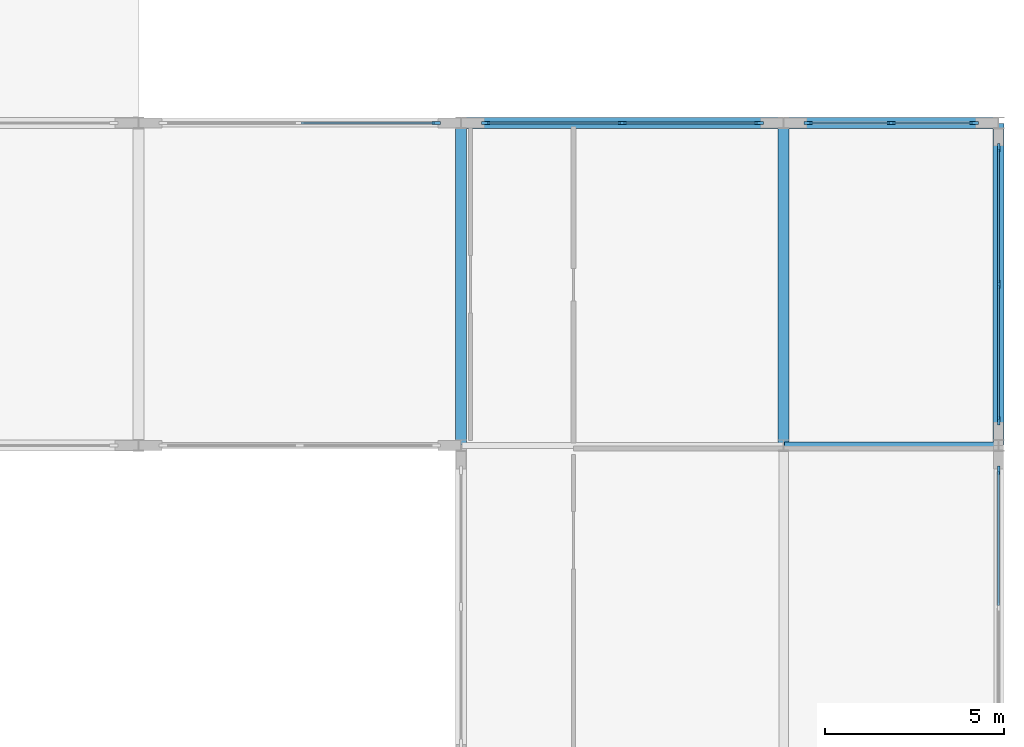
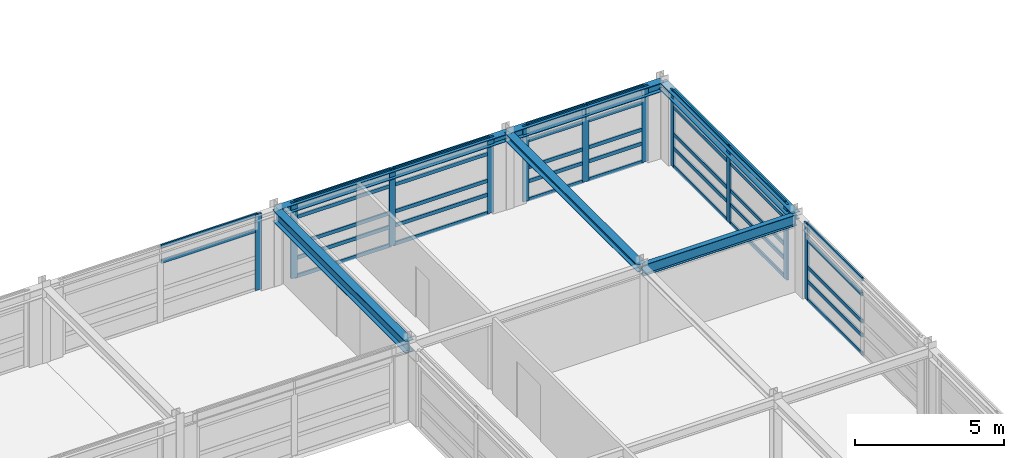
# One storey, part 54 of 91: 48 members, 6 beams, 5 elements without a shape of their own.
"""IFC4 building model written with IfcOpenShell, lengths in metres."""

from ifc_helpers import new_model, si_unit, direction, frame, origin, origin_2d, place, context, subcontext, project, spatial, rectangle, i_section, extrude, material, material_profile, profile_set, type_object, element, aggregate, save


model = new_model("IFC4")

# Units and contexts
model_context = context("Model", 3, precision=1e-05, world=origin(), true_north=direction((0.0, 1.0)))
body_context = subcontext(model_context, "Body", "Model", "MODEL_VIEW")
ifc_project = project(units=[si_unit("LENGTHUNIT", "METRE"), si_unit("AREAUNIT", "SQUARE_METRE"), si_unit("VOLUMEUNIT", "CUBIC_METRE"), si_unit("PLANEANGLEUNIT", "RADIAN"), si_unit("MASSUNIT", "GRAM", prefix="KILO")], contexts=[model_context])

# Site, building, storey
site_placement = place(None, origin())
site = spatial("IfcSite", under=ifc_project, at=site_placement, CompositionType="ELEMENT")
building_placement = place(site_placement, origin())
building = spatial("IfcBuilding", under=site, at=building_placement, Name="Palais des Congres Ocreval", CompositionType="ELEMENT")
storey_placement = place(building_placement, frame((0.0, 0.0, 8.159912109375)))
storey = spatial("IfcBuildingStorey", under=building, at=storey_placement, Name="L02", CompositionType="ELEMENT", Elevation=8.159912109375)

# Beam
ifc_material_1 = material(Name="Steel S355", Category="steel")
ifc_material_profile_1 = material_profile(ifc_material_1, i_section(OverallWidth=0.18994140625, OverallDepth=0.449951171875, WebThickness=0.009521484375, FlangeThickness=0.0146484375, at=origin_2d()), Name="IPE 450")
ifc_profile_set_1 = profile_set([ifc_material_profile_1], Name="Steel S355")
beam_type_1 = type_object("IfcBeamType", Name="Composite Beam IPE 450 Steel S355", PredefinedType="BEAM", material=ifc_profile_set_1)
beam_1_placement = place(storey_placement, frame((162.02001953125, 36.0, 2.875), z_axis=(1.0, 0.0, 0.0), x_axis=(0.0, 1.0, 0.0)))
element("IfcBeam", 1, at=beam_1_placement, inside=storey, type_object=beam_type_1, Name="Beam B03 L02", PredefinedType="BEAM", context=body_context, shape_type="SweptSolid", body=[
    extrude(i_section(OverallWidth=0.18994140625, OverallDepth=0.449951171875, WebThickness=0.009521484375, FlangeThickness=0.0146484375, at=origin_2d()), origin(), (0.0, 0.0, 1.0), 5.9599609375),
])

# Curtain wall, member
ifc_material_2 = material(Name="Anodized bronze aluminium and low-E glass", Category="glass")
curtain_wall_type_1 = type_object("IfcCurtainWallType", Name="Unitised Curtain Wall 7900x3120", PredefinedType="USERDEFINED", material=ifc_material_2)
curtain_wall_1_placement = place(storey_placement, origin())
curtain_wall_1 = element("IfcCurtainWall", 2, at=curtain_wall_1_placement, inside=storey, type_object=curtain_wall_type_1, Name="Unitised Curtain Wall CW03 L02", ObjectType="UNITISED CURTAIN WALL", PredefinedType="USERDEFINED")
ifc_material_3 = material(Name="Anodized bronze aluminium", Category="aluminium")
ifc_material_profile_2 = material_profile(ifc_material_3, rectangle(XDim=0.074951171875, YDim=0.239990234375, at=origin_2d()), Name="ALU 75x240")
ifc_profile_set_2 = profile_set([ifc_material_profile_2], Name="Anodized bronze aluminium")
member_type_1 = type_object("IfcMemberType", Name="Curtain Wall Mullion ALU 75x240", PredefinedType="MULLION", material=ifc_profile_set_2)
member_1_placement = place(storey_placement, frame((152.3125, 45.0, 0.0), z_axis=(0.0, 0.0, 1.0), x_axis=(0.0, 1.0, 0.0)))
member_1 = element("IfcMember", 3, at=member_1_placement, type_object=member_type_1, Name="Curtain Wall Mullion ML01", PredefinedType="MULLION", context=body_context, shape_type="SweptSolid", body=[
    extrude(rectangle(XDim=0.074951171875, YDim=0.239990234375, at=origin_2d()), origin(), (0.0, 0.0, 1.0), 3.110107421875),
])

# Curtain wall, members
curtain_wall_2_placement = place(storey_placement, origin())
curtain_wall_2 = element("IfcCurtainWall", 4, at=curtain_wall_2_placement, inside=storey, type_object=curtain_wall_type_1, Name="Unitised Curtain Wall CW03 L02", ObjectType="UNITISED CURTAIN WALL", PredefinedType="USERDEFINED")
member_2_placement = place(storey_placement, frame((153.6875, 45.0, 0.0), z_axis=(0.0, 0.0, 1.0), x_axis=(0.0, 1.0, 0.0)))
member_2 = element("IfcMember", 5, at=member_2_placement, type_object=member_type_1, Name="Curtain Wall Mullion ML01", PredefinedType="MULLION", context=body_context, shape_type="SweptSolid", body=[
    extrude(rectangle(XDim=0.074951171875, YDim=0.239990234375, at=origin_2d()), origin(), (0.0, 0.0, 1.0), 3.110107421875),
])
member_3_placement = place(storey_placement, frame((157.5, 45.0, 0.0), z_axis=(0.0, 0.0, 1.0), x_axis=(0.0, 1.0, 0.0)))
member_3 = element("IfcMember", 6, at=member_3_placement, type_object=member_type_1, Name="Curtain Wall Mullion ML01", PredefinedType="MULLION", context=body_context, shape_type="SweptSolid", body=[
    extrude(rectangle(XDim=0.074951171875, YDim=0.239990234375, at=origin_2d()), origin(), (0.0, 0.0, 1.0), 3.110107421875),
])
member_4_placement = place(storey_placement, frame((161.3125, 45.0, 0.0), z_axis=(0.0, 0.0, 1.0), x_axis=(0.0, 1.0, 0.0)))
member_4 = element("IfcMember", 7, at=member_4_placement, type_object=member_type_1, Name="Curtain Wall Mullion ML01", PredefinedType="MULLION", context=body_context, shape_type="SweptSolid", body=[
    extrude(rectangle(XDim=0.074951171875, YDim=0.239990234375, at=origin_2d()), origin(), (0.0, 0.0, 1.0), 3.110107421875),
])

curtain_wall_type_2 = type_object("IfcCurtainWallType", Name="Unitised Curtain Wall 4900x3660", PredefinedType="USERDEFINED", material=ifc_material_2)
curtain_wall_3_placement = place(storey_placement, origin())
curtain_wall_3 = element("IfcCurtainWall", 8, at=curtain_wall_3_placement, inside=storey, type_object=curtain_wall_type_2, Name="Unitised Curtain Wall CW08 L02", ObjectType="UNITISED CURTAIN WALL", PredefinedType="USERDEFINED")
member_5_placement = place(storey_placement, frame((162.6875, 45.0, 0.0), z_axis=(0.0, 0.0, 1.0), x_axis=(0.0, 1.0, 0.0)))
member_5 = element("IfcMember", 9, at=member_5_placement, type_object=member_type_1, Name="Curtain Wall Mullion ML01", PredefinedType="MULLION", context=body_context, shape_type="SweptSolid", body=[
    extrude(rectangle(XDim=0.074951171875, YDim=0.239990234375, at=origin_2d()), origin(), (0.0, 0.0, 1.0), 3.110107421875),
])
member_6_placement = place(storey_placement, frame((165.0, 45.0, 0.0), z_axis=(0.0, 0.0, 1.0), x_axis=(0.0, 1.0, 0.0)))
member_6 = element("IfcMember", 10, at=member_6_placement, type_object=member_type_1, Name="Curtain Wall Mullion ML01", PredefinedType="MULLION", context=body_context, shape_type="SweptSolid", body=[
    extrude(rectangle(XDim=0.074951171875, YDim=0.239990234375, at=origin_2d()), origin(), (0.0, 0.0, 1.0), 3.110107421875),
])
member_7_placement = place(storey_placement, frame((167.3125, 45.0, 0.0), z_axis=(0.0, 0.0, 1.0), x_axis=(0.0, 1.0, 0.0)))
member_7 = element("IfcMember", 11, at=member_7_placement, type_object=member_type_1, Name="Curtain Wall Mullion ML01", PredefinedType="MULLION", context=body_context, shape_type="SweptSolid", body=[
    extrude(rectangle(XDim=0.074951171875, YDim=0.239990234375, at=origin_2d()), origin(), (0.0, 0.0, 1.0), 3.110107421875),
])

curtain_wall_4_placement = place(storey_placement, origin())
curtain_wall_4 = element("IfcCurtainWall", 12, at=curtain_wall_4_placement, inside=storey, type_object=curtain_wall_type_1, Name="Unitised Curtain Wall CW03 L02", ObjectType="UNITISED CURTAIN WALL", PredefinedType="USERDEFINED")
member_8_placement = place(storey_placement, frame((168.0, 44.3125, 0.0), z_axis=(0.0, 0.0, 1.0), x_axis=(1.0, 0.0, 0.0)))
member_8 = element("IfcMember", 13, at=member_8_placement, type_object=member_type_1, Name="Curtain Wall Mullion ML01", PredefinedType="MULLION", context=body_context, shape_type="SweptSolid", body=[
    extrude(rectangle(XDim=0.074951171875, YDim=0.239990234375, at=origin_2d()), origin(), (0.0, 0.0, 1.0), 3.110107421875),
])
member_9_placement = place(storey_placement, frame((168.0, 40.5, 0.0), z_axis=(0.0, 0.0, 1.0), x_axis=(1.0, 0.0, 0.0)))
member_9 = element("IfcMember", 14, at=member_9_placement, type_object=member_type_1, Name="Curtain Wall Mullion ML01", PredefinedType="MULLION", context=body_context, shape_type="SweptSolid", body=[
    extrude(rectangle(XDim=0.074951171875, YDim=0.239990234375, at=origin_2d()), origin(), (0.0, 0.0, 1.0), 3.110107421875),
])
member_10_placement = place(storey_placement, frame((168.0, 36.6875, 0.0), z_axis=(0.0, 0.0, 1.0), x_axis=(1.0, 0.0, 0.0)))
member_10 = element("IfcMember", 15, at=member_10_placement, type_object=member_type_1, Name="Curtain Wall Mullion ML01", PredefinedType="MULLION", context=body_context, shape_type="SweptSolid", body=[
    extrude(rectangle(XDim=0.074951171875, YDim=0.239990234375, at=origin_2d()), origin(), (0.0, 0.0, 1.0), 3.110107421875),
])

# Curtain wall, member
curtain_wall_5_placement = place(storey_placement, origin())
curtain_wall_5 = element("IfcCurtainWall", 16, at=curtain_wall_5_placement, inside=storey, type_object=curtain_wall_type_1, Name="Unitised Curtain Wall CW03 L02", ObjectType="UNITISED CURTAIN WALL", PredefinedType="USERDEFINED")
member_11_placement = place(storey_placement, frame((168.0, 35.3125, 0.0), z_axis=(0.0, 0.0, 1.0), x_axis=(1.0, 0.0, 0.0)))
member_11 = element("IfcMember", 17, at=member_11_placement, type_object=member_type_1, Name="Curtain Wall Mullion ML01", PredefinedType="MULLION", context=body_context, shape_type="SweptSolid", body=[
    extrude(rectangle(XDim=0.074951171875, YDim=0.239990234375, at=origin_2d()), origin(), (0.0, 0.0, 1.0), 3.110107421875),
])

# Member
ifc_material_profile_3 = material_profile(ifc_material_3, rectangle(XDim=0.06005859375, YDim=0.14990234375, at=origin_2d()), Name="ALU 60x150")
ifc_profile_set_3 = profile_set([ifc_material_profile_3], Name="Anodized bronze aluminium")
member_type_2 = type_object("IfcMemberType", Name="Curtain Wall Transom ALU 60x150", PredefinedType="USERDEFINED", material=ifc_profile_set_3)
member_12_placement = place(storey_placement, frame((148.53759765625, 45.0, 2.460205078125), z_axis=(1.0, 0.0, 0.0), x_axis=(0.0, 1.0, 0.0)))
member_12 = element("IfcMember", 18, at=member_12_placement, type_object=member_type_2, Name="Curtain Wall Transom TR01", ObjectType="TRANSOM", PredefinedType="USERDEFINED", context=body_context, shape_type="SweptSolid", body=[
    extrude(rectangle(XDim=0.06005859375, YDim=0.14990234375, at=origin_2d()), origin(), (0.0, 0.0, 1.0), 3.7373046875),
])

member_13_placement = place(storey_placement, frame((148.53759765625, 45.0, 3.080078125), z_axis=(1.0, 0.0, 0.0), x_axis=(0.0, 1.0, 0.0)))
member_13 = element("IfcMember", 19, at=member_13_placement, type_object=member_type_2, Name="Curtain Wall Transom TR01", ObjectType="TRANSOM", PredefinedType="USERDEFINED", context=body_context, shape_type="SweptSolid", body=[
    extrude(rectangle(XDim=0.06005859375, YDim=0.14990234375, at=origin_2d()), origin(), (0.0, 0.0, 1.0), 3.7373046875),
])

aggregate(curtain_wall_1, [member_1, member_12, member_13])

member_14_placement = place(storey_placement, frame((153.72509765625, 45.0, 0.030029296875), z_axis=(1.0, 0.0, 0.0), x_axis=(0.0, 1.0, 0.0)))
member_14 = element("IfcMember", 20, at=member_14_placement, type_object=member_type_2, Name="Curtain Wall Transom TR01", ObjectType="TRANSOM", PredefinedType="USERDEFINED", context=body_context, shape_type="SweptSolid", body=[
    extrude(rectangle(XDim=0.06005859375, YDim=0.14990234375, at=origin_2d()), origin(), (0.0, 0.0, 1.0), 3.7373046875),
])

member_15_placement = place(storey_placement, frame((153.72509765625, 45.0, 0.780029296875), z_axis=(1.0, 0.0, 0.0), x_axis=(0.0, 1.0, 0.0)))
member_15 = element("IfcMember", 21, at=member_15_placement, type_object=member_type_2, Name="Curtain Wall Transom TR01", ObjectType="TRANSOM", PredefinedType="USERDEFINED", context=body_context, shape_type="SweptSolid", body=[
    extrude(rectangle(XDim=0.06005859375, YDim=0.14990234375, at=origin_2d()), origin(), (0.0, 0.0, 1.0), 3.7373046875),
])

member_16_placement = place(storey_placement, frame((153.72509765625, 45.0, 1.35302734375), z_axis=(1.0, 0.0, 0.0), x_axis=(0.0, 1.0, 0.0)))
member_16 = element("IfcMember", 22, at=member_16_placement, type_object=member_type_2, Name="Curtain Wall Transom TR01", ObjectType="TRANSOM", PredefinedType="USERDEFINED", context=body_context, shape_type="SweptSolid", body=[
    extrude(rectangle(XDim=0.06005859375, YDim=0.14990234375, at=origin_2d()), origin(), (0.0, 0.0, 1.0), 3.7373046875),
])

member_17_placement = place(storey_placement, frame((153.72509765625, 45.0, 2.460205078125), z_axis=(1.0, 0.0, 0.0), x_axis=(0.0, 1.0, 0.0)))
member_17 = element("IfcMember", 23, at=member_17_placement, type_object=member_type_2, Name="Curtain Wall Transom TR01", ObjectType="TRANSOM", PredefinedType="USERDEFINED", context=body_context, shape_type="SweptSolid", body=[
    extrude(rectangle(XDim=0.06005859375, YDim=0.14990234375, at=origin_2d()), origin(), (0.0, 0.0, 1.0), 3.7373046875),
])

member_18_placement = place(storey_placement, frame((153.72509765625, 45.0, 3.080078125), z_axis=(1.0, 0.0, 0.0), x_axis=(0.0, 1.0, 0.0)))
member_18 = element("IfcMember", 24, at=member_18_placement, type_object=member_type_2, Name="Curtain Wall Transom TR01", ObjectType="TRANSOM", PredefinedType="USERDEFINED", context=body_context, shape_type="SweptSolid", body=[
    extrude(rectangle(XDim=0.06005859375, YDim=0.14990234375, at=origin_2d()), origin(), (0.0, 0.0, 1.0), 3.7373046875),
])

member_19_placement = place(storey_placement, frame((157.53759765625, 45.0, 0.030029296875), z_axis=(1.0, 0.0, 0.0), x_axis=(0.0, 1.0, 0.0)))
member_19 = element("IfcMember", 25, at=member_19_placement, type_object=member_type_2, Name="Curtain Wall Transom TR01", ObjectType="TRANSOM", PredefinedType="USERDEFINED", context=body_context, shape_type="SweptSolid", body=[
    extrude(rectangle(XDim=0.06005859375, YDim=0.14990234375, at=origin_2d()), origin(), (0.0, 0.0, 1.0), 3.7373046875),
])

member_20_placement = place(storey_placement, frame((157.53759765625, 45.0, 0.780029296875), z_axis=(1.0, 0.0, 0.0), x_axis=(0.0, 1.0, 0.0)))
member_20 = element("IfcMember", 26, at=member_20_placement, type_object=member_type_2, Name="Curtain Wall Transom TR01", ObjectType="TRANSOM", PredefinedType="USERDEFINED", context=body_context, shape_type="SweptSolid", body=[
    extrude(rectangle(XDim=0.06005859375, YDim=0.14990234375, at=origin_2d()), origin(), (0.0, 0.0, 1.0), 3.7373046875),
])

member_21_placement = place(storey_placement, frame((157.53759765625, 45.0, 1.35302734375), z_axis=(1.0, 0.0, 0.0), x_axis=(0.0, 1.0, 0.0)))
member_21 = element("IfcMember", 27, at=member_21_placement, type_object=member_type_2, Name="Curtain Wall Transom TR01", ObjectType="TRANSOM", PredefinedType="USERDEFINED", context=body_context, shape_type="SweptSolid", body=[
    extrude(rectangle(XDim=0.06005859375, YDim=0.14990234375, at=origin_2d()), origin(), (0.0, 0.0, 1.0), 3.7373046875),
])

member_22_placement = place(storey_placement, frame((157.53759765625, 45.0, 2.460205078125), z_axis=(1.0, 0.0, 0.0), x_axis=(0.0, 1.0, 0.0)))
member_22 = element("IfcMember", 28, at=member_22_placement, type_object=member_type_2, Name="Curtain Wall Transom TR01", ObjectType="TRANSOM", PredefinedType="USERDEFINED", context=body_context, shape_type="SweptSolid", body=[
    extrude(rectangle(XDim=0.06005859375, YDim=0.14990234375, at=origin_2d()), origin(), (0.0, 0.0, 1.0), 3.7373046875),
])

member_23_placement = place(storey_placement, frame((157.53759765625, 45.0, 3.080078125), z_axis=(1.0, 0.0, 0.0), x_axis=(0.0, 1.0, 0.0)))
member_23 = element("IfcMember", 29, at=member_23_placement, type_object=member_type_2, Name="Curtain Wall Transom TR01", ObjectType="TRANSOM", PredefinedType="USERDEFINED", context=body_context, shape_type="SweptSolid", body=[
    extrude(rectangle(XDim=0.06005859375, YDim=0.14990234375, at=origin_2d()), origin(), (0.0, 0.0, 1.0), 3.7373046875),
])

aggregate(curtain_wall_2, [member_2, member_3, member_4, member_14, member_15, member_16, member_17, member_18, member_19, member_20, member_21, member_22, member_23])

member_24_placement = place(storey_placement, frame((162.72509765625, 45.0, 0.030029296875), z_axis=(1.0, 0.0, 0.0), x_axis=(0.0, 1.0, 0.0)))
member_24 = element("IfcMember", 30, at=member_24_placement, type_object=member_type_2, Name="Curtain Wall Transom TR01", ObjectType="TRANSOM", PredefinedType="USERDEFINED", context=body_context, shape_type="SweptSolid", body=[
    extrude(rectangle(XDim=0.06005859375, YDim=0.14990234375, at=origin_2d()), origin(), (0.0, 0.0, 1.0), 2.2373046875),
])

member_25_placement = place(storey_placement, frame((162.72509765625, 45.0, 0.780029296875), z_axis=(1.0, 0.0, 0.0), x_axis=(0.0, 1.0, 0.0)))
member_25 = element("IfcMember", 31, at=member_25_placement, type_object=member_type_2, Name="Curtain Wall Transom TR01", ObjectType="TRANSOM", PredefinedType="USERDEFINED", context=body_context, shape_type="SweptSolid", body=[
    extrude(rectangle(XDim=0.06005859375, YDim=0.14990234375, at=origin_2d()), origin(), (0.0, 0.0, 1.0), 2.2373046875),
])

member_26_placement = place(storey_placement, frame((162.72509765625, 45.0, 1.35302734375), z_axis=(1.0, 0.0, 0.0), x_axis=(0.0, 1.0, 0.0)))
member_26 = element("IfcMember", 32, at=member_26_placement, type_object=member_type_2, Name="Curtain Wall Transom TR01", ObjectType="TRANSOM", PredefinedType="USERDEFINED", context=body_context, shape_type="SweptSolid", body=[
    extrude(rectangle(XDim=0.06005859375, YDim=0.14990234375, at=origin_2d()), origin(), (0.0, 0.0, 1.0), 2.2373046875),
])

member_27_placement = place(storey_placement, frame((162.72509765625, 45.0, 2.460205078125), z_axis=(1.0, 0.0, 0.0), x_axis=(0.0, 1.0, 0.0)))
member_27 = element("IfcMember", 33, at=member_27_placement, type_object=member_type_2, Name="Curtain Wall Transom TR01", ObjectType="TRANSOM", PredefinedType="USERDEFINED", context=body_context, shape_type="SweptSolid", body=[
    extrude(rectangle(XDim=0.06005859375, YDim=0.14990234375, at=origin_2d()), origin(), (0.0, 0.0, 1.0), 2.2373046875),
])

member_28_placement = place(storey_placement, frame((162.72509765625, 45.0, 3.080078125), z_axis=(1.0, 0.0, 0.0), x_axis=(0.0, 1.0, 0.0)))
member_28 = element("IfcMember", 34, at=member_28_placement, type_object=member_type_2, Name="Curtain Wall Transom TR01", ObjectType="TRANSOM", PredefinedType="USERDEFINED", context=body_context, shape_type="SweptSolid", body=[
    extrude(rectangle(XDim=0.06005859375, YDim=0.14990234375, at=origin_2d()), origin(), (0.0, 0.0, 1.0), 2.2373046875),
])

member_29_placement = place(storey_placement, frame((165.03759765625, 45.0, 0.030029296875), z_axis=(1.0, 0.0, 0.0), x_axis=(0.0, 1.0, 0.0)))
member_29 = element("IfcMember", 35, at=member_29_placement, type_object=member_type_2, Name="Curtain Wall Transom TR01", ObjectType="TRANSOM", PredefinedType="USERDEFINED", context=body_context, shape_type="SweptSolid", body=[
    extrude(rectangle(XDim=0.06005859375, YDim=0.14990234375, at=origin_2d()), origin(), (0.0, 0.0, 1.0), 2.2373046875),
])

member_30_placement = place(storey_placement, frame((165.03759765625, 45.0, 0.780029296875), z_axis=(1.0, 0.0, 0.0), x_axis=(0.0, 1.0, 0.0)))
member_30 = element("IfcMember", 36, at=member_30_placement, type_object=member_type_2, Name="Curtain Wall Transom TR01", ObjectType="TRANSOM", PredefinedType="USERDEFINED", context=body_context, shape_type="SweptSolid", body=[
    extrude(rectangle(XDim=0.06005859375, YDim=0.14990234375, at=origin_2d()), origin(), (0.0, 0.0, 1.0), 2.2373046875),
])

member_31_placement = place(storey_placement, frame((165.03759765625, 45.0, 1.35302734375), z_axis=(1.0, 0.0, 0.0), x_axis=(0.0, 1.0, 0.0)))
member_31 = element("IfcMember", 37, at=member_31_placement, type_object=member_type_2, Name="Curtain Wall Transom TR01", ObjectType="TRANSOM", PredefinedType="USERDEFINED", context=body_context, shape_type="SweptSolid", body=[
    extrude(rectangle(XDim=0.06005859375, YDim=0.14990234375, at=origin_2d()), origin(), (0.0, 0.0, 1.0), 2.2373046875),
])

member_32_placement = place(storey_placement, frame((165.03759765625, 45.0, 2.460205078125), z_axis=(1.0, 0.0, 0.0), x_axis=(0.0, 1.0, 0.0)))
member_32 = element("IfcMember", 38, at=member_32_placement, type_object=member_type_2, Name="Curtain Wall Transom TR01", ObjectType="TRANSOM", PredefinedType="USERDEFINED", context=body_context, shape_type="SweptSolid", body=[
    extrude(rectangle(XDim=0.06005859375, YDim=0.14990234375, at=origin_2d()), origin(), (0.0, 0.0, 1.0), 2.2373046875),
])

member_33_placement = place(storey_placement, frame((165.03759765625, 45.0, 3.080078125), z_axis=(1.0, 0.0, 0.0), x_axis=(0.0, 1.0, 0.0)))
member_33 = element("IfcMember", 39, at=member_33_placement, type_object=member_type_2, Name="Curtain Wall Transom TR01", ObjectType="TRANSOM", PredefinedType="USERDEFINED", context=body_context, shape_type="SweptSolid", body=[
    extrude(rectangle(XDim=0.06005859375, YDim=0.14990234375, at=origin_2d()), origin(), (0.0, 0.0, 1.0), 2.2373046875),
])

aggregate(curtain_wall_3, [member_5, member_6, member_7, member_24, member_25, member_26, member_27, member_28, member_29, member_30, member_31, member_32, member_33])

member_34_placement = place(storey_placement, frame((168.0, 44.27490234375, 0.030029296875), z_axis=(0.0, -1.0, 0.0), x_axis=(1.0, 0.0, 0.0)))
member_34 = element("IfcMember", 40, at=member_34_placement, type_object=member_type_2, Name="Curtain Wall Transom TR01", ObjectType="TRANSOM", PredefinedType="USERDEFINED", context=body_context, shape_type="SweptSolid", body=[
    extrude(rectangle(XDim=0.06005859375, YDim=0.14990234375, at=origin_2d()), origin(), (0.0, 0.0, 1.0), 3.7373046875),
])

member_35_placement = place(storey_placement, frame((168.0, 44.27490234375, 0.780029296875), z_axis=(0.0, -1.0, 0.0), x_axis=(1.0, 0.0, 0.0)))
member_35 = element("IfcMember", 41, at=member_35_placement, type_object=member_type_2, Name="Curtain Wall Transom TR01", ObjectType="TRANSOM", PredefinedType="USERDEFINED", context=body_context, shape_type="SweptSolid", body=[
    extrude(rectangle(XDim=0.06005859375, YDim=0.14990234375, at=origin_2d()), origin(), (0.0, 0.0, 1.0), 3.7373046875),
])

member_36_placement = place(storey_placement, frame((168.0, 44.27490234375, 1.35302734375), z_axis=(0.0, -1.0, 0.0), x_axis=(1.0, 0.0, 0.0)))
member_36 = element("IfcMember", 42, at=member_36_placement, type_object=member_type_2, Name="Curtain Wall Transom TR01", ObjectType="TRANSOM", PredefinedType="USERDEFINED", context=body_context, shape_type="SweptSolid", body=[
    extrude(rectangle(XDim=0.06005859375, YDim=0.14990234375, at=origin_2d()), origin(), (0.0, 0.0, 1.0), 3.7373046875),
])

member_37_placement = place(storey_placement, frame((168.0, 44.27490234375, 2.460205078125), z_axis=(0.0, -1.0, 0.0), x_axis=(1.0, 0.0, 0.0)))
member_37 = element("IfcMember", 43, at=member_37_placement, type_object=member_type_2, Name="Curtain Wall Transom TR01", ObjectType="TRANSOM", PredefinedType="USERDEFINED", context=body_context, shape_type="SweptSolid", body=[
    extrude(rectangle(XDim=0.06005859375, YDim=0.14990234375, at=origin_2d()), origin(), (0.0, 0.0, 1.0), 3.7373046875),
])

member_38_placement = place(storey_placement, frame((168.0, 44.27490234375, 3.080078125), z_axis=(0.0, -1.0, 0.0), x_axis=(1.0, 0.0, 0.0)))
member_38 = element("IfcMember", 44, at=member_38_placement, type_object=member_type_2, Name="Curtain Wall Transom TR01", ObjectType="TRANSOM", PredefinedType="USERDEFINED", context=body_context, shape_type="SweptSolid", body=[
    extrude(rectangle(XDim=0.06005859375, YDim=0.14990234375, at=origin_2d()), origin(), (0.0, 0.0, 1.0), 3.7373046875),
])

member_39_placement = place(storey_placement, frame((168.0, 40.46240234375, 0.030029296875), z_axis=(0.0, -1.0, 0.0), x_axis=(1.0, 0.0, 0.0)))
member_39 = element("IfcMember", 45, at=member_39_placement, type_object=member_type_2, Name="Curtain Wall Transom TR01", ObjectType="TRANSOM", PredefinedType="USERDEFINED", context=body_context, shape_type="SweptSolid", body=[
    extrude(rectangle(XDim=0.06005859375, YDim=0.14990234375, at=origin_2d()), origin(), (0.0, 0.0, 1.0), 3.7373046875),
])

member_40_placement = place(storey_placement, frame((168.0, 40.46240234375, 0.780029296875), z_axis=(0.0, -1.0, 0.0), x_axis=(1.0, 0.0, 0.0)))
member_40 = element("IfcMember", 46, at=member_40_placement, type_object=member_type_2, Name="Curtain Wall Transom TR01", ObjectType="TRANSOM", PredefinedType="USERDEFINED", context=body_context, shape_type="SweptSolid", body=[
    extrude(rectangle(XDim=0.06005859375, YDim=0.14990234375, at=origin_2d()), origin(), (0.0, 0.0, 1.0), 3.7373046875),
])

member_41_placement = place(storey_placement, frame((168.0, 40.46240234375, 1.35302734375), z_axis=(0.0, -1.0, 0.0), x_axis=(1.0, 0.0, 0.0)))
member_41 = element("IfcMember", 47, at=member_41_placement, type_object=member_type_2, Name="Curtain Wall Transom TR01", ObjectType="TRANSOM", PredefinedType="USERDEFINED", context=body_context, shape_type="SweptSolid", body=[
    extrude(rectangle(XDim=0.06005859375, YDim=0.14990234375, at=origin_2d()), origin(), (0.0, 0.0, 1.0), 3.7373046875),
])

member_42_placement = place(storey_placement, frame((168.0, 40.46240234375, 2.460205078125), z_axis=(0.0, -1.0, 0.0), x_axis=(1.0, 0.0, 0.0)))
member_42 = element("IfcMember", 48, at=member_42_placement, type_object=member_type_2, Name="Curtain Wall Transom TR01", ObjectType="TRANSOM", PredefinedType="USERDEFINED", context=body_context, shape_type="SweptSolid", body=[
    extrude(rectangle(XDim=0.06005859375, YDim=0.14990234375, at=origin_2d()), origin(), (0.0, 0.0, 1.0), 3.7373046875),
])

member_43_placement = place(storey_placement, frame((168.0, 40.46240234375, 3.080078125), z_axis=(0.0, -1.0, 0.0), x_axis=(1.0, 0.0, 0.0)))
member_43 = element("IfcMember", 49, at=member_43_placement, type_object=member_type_2, Name="Curtain Wall Transom TR01", ObjectType="TRANSOM", PredefinedType="USERDEFINED", context=body_context, shape_type="SweptSolid", body=[
    extrude(rectangle(XDim=0.06005859375, YDim=0.14990234375, at=origin_2d()), origin(), (0.0, 0.0, 1.0), 3.7373046875),
])

aggregate(curtain_wall_4, [member_8, member_9, member_10, member_34, member_35, member_36, member_37, member_38, member_39, member_40, member_41, member_42, member_43])

member_44_placement = place(storey_placement, frame((168.0, 35.27490234375, 0.030029296875), z_axis=(0.0, -1.0, 0.0), x_axis=(1.0, 0.0, 0.0)))
member_44 = element("IfcMember", 50, at=member_44_placement, type_object=member_type_2, Name="Curtain Wall Transom TR01", ObjectType="TRANSOM", PredefinedType="USERDEFINED", context=body_context, shape_type="SweptSolid", body=[
    extrude(rectangle(XDim=0.06005859375, YDim=0.14990234375, at=origin_2d()), origin(), (0.0, 0.0, 1.0), 3.7373046875),
])

member_45_placement = place(storey_placement, frame((168.0, 35.27490234375, 0.780029296875), z_axis=(0.0, -1.0, 0.0), x_axis=(1.0, 0.0, 0.0)))
member_45 = element("IfcMember", 51, at=member_45_placement, type_object=member_type_2, Name="Curtain Wall Transom TR01", ObjectType="TRANSOM", PredefinedType="USERDEFINED", context=body_context, shape_type="SweptSolid", body=[
    extrude(rectangle(XDim=0.06005859375, YDim=0.14990234375, at=origin_2d()), origin(), (0.0, 0.0, 1.0), 3.7373046875),
])

member_46_placement = place(storey_placement, frame((168.0, 35.27490234375, 1.35302734375), z_axis=(0.0, -1.0, 0.0), x_axis=(1.0, 0.0, 0.0)))
member_46 = element("IfcMember", 52, at=member_46_placement, type_object=member_type_2, Name="Curtain Wall Transom TR01", ObjectType="TRANSOM", PredefinedType="USERDEFINED", context=body_context, shape_type="SweptSolid", body=[
    extrude(rectangle(XDim=0.06005859375, YDim=0.14990234375, at=origin_2d()), origin(), (0.0, 0.0, 1.0), 3.7373046875),
])

member_47_placement = place(storey_placement, frame((168.0, 35.27490234375, 2.460205078125), z_axis=(0.0, -1.0, 0.0), x_axis=(1.0, 0.0, 0.0)))
member_47 = element("IfcMember", 53, at=member_47_placement, type_object=member_type_2, Name="Curtain Wall Transom TR01", ObjectType="TRANSOM", PredefinedType="USERDEFINED", context=body_context, shape_type="SweptSolid", body=[
    extrude(rectangle(XDim=0.06005859375, YDim=0.14990234375, at=origin_2d()), origin(), (0.0, 0.0, 1.0), 3.7373046875),
])

member_48_placement = place(storey_placement, frame((168.0, 35.27490234375, 3.080078125), z_axis=(0.0, -1.0, 0.0), x_axis=(1.0, 0.0, 0.0)))
member_48 = element("IfcMember", 54, at=member_48_placement, type_object=member_type_2, Name="Curtain Wall Transom TR01", ObjectType="TRANSOM", PredefinedType="USERDEFINED", context=body_context, shape_type="SweptSolid", body=[
    extrude(rectangle(XDim=0.06005859375, YDim=0.14990234375, at=origin_2d()), origin(), (0.0, 0.0, 1.0), 3.7373046875),
])

aggregate(curtain_wall_5, [member_11, member_44, member_45, member_46, member_47, member_48])

# Beams
ifc_material_profile_4 = material_profile(ifc_material_1, i_section(OverallWidth=0.300048828125, OverallDepth=0.300048828125, WebThickness=0.010986328125, FlangeThickness=0.01904296875, at=origin_2d()), Name="HEB 300")
ifc_profile_set_4 = profile_set([ifc_material_profile_4], Name="Steel S355")
beam_type_2 = type_object("IfcBeamType", Name="Perimeter Spandrel HEB 300 Steel S355", PredefinedType="SPANDREL", material=ifc_profile_set_4)
for number, where, z_axis, x_axis, name in (
    (55, (153.02001953125, 45.0, 2.9501953125), (1.0, 0.0, 0.0), (0.0, 1.0, 0.0), "Beam SP02 L02"),
    (56, (162.0, 36.02001953125, 2.9501953125), (0.0, 1.0, 0.0), (-1.0, 0.0, 0.0), "Girder SP02 L02"),
    (57, (168.0, 36.02001953125, 2.9501953125), (0.0, 1.0, 0.0), (-1.0, 0.0, 0.0), "Girder SP02 L02"),
):
    element("IfcBeam", number, at=place(storey_placement, frame(where, z_axis=z_axis, x_axis=x_axis)), inside=storey, type_object=beam_type_2, Name=name, PredefinedType="SPANDREL", context=body_context, shape_type="SweptSolid", body=[
        extrude(i_section(OverallWidth=0.300048828125, OverallDepth=0.300048828125, WebThickness=0.010986328125, FlangeThickness=0.01904296875, at=origin_2d()), origin(), (0.0, 0.0, 1.0), 8.9599609375),
    ])
ifc_material_profile_5 = material_profile(ifc_material_1, i_section(OverallWidth=0.300048828125, OverallDepth=0.360107421875, WebThickness=0.012451171875, FlangeThickness=0.0224609375, at=origin_2d()), Name="HEB 360")
ifc_profile_set_5 = profile_set([ifc_material_profile_5], Name="Steel S355")
beam_type_3 = type_object("IfcBeamType", Name="Perimeter Spandrel HEB 360 Steel S355", PredefinedType="SPANDREL", material=ifc_profile_set_5)
beam_2_placement = place(storey_placement, frame((162.02001953125, 45.0, 2.920166015625), z_axis=(1.0, 0.0, 0.0), x_axis=(0.0, 1.0, 0.0)))
element("IfcBeam", 58, at=beam_2_placement, inside=storey, type_object=beam_type_3, Name="Beam SP03 L02", PredefinedType="SPANDREL", context=body_context, shape_type="SweptSolid", body=[
    extrude(i_section(OverallWidth=0.300048828125, OverallDepth=0.360107421875, WebThickness=0.012451171875, FlangeThickness=0.0224609375, at=origin_2d()), origin(), (0.0, 0.0, 1.0), 5.9599609375),
])
ifc_material_profile_6 = material_profile(ifc_material_1, i_section(OverallWidth=0.300048828125, OverallDepth=0.489990234375, WebThickness=0.011962890625, FlangeThickness=0.02294921875, at=origin_2d()), Name="HEA 500")
ifc_profile_set_6 = profile_set([ifc_material_profile_6], Name="Steel S355")
beam_type_4 = type_object("IfcBeamType", Name="Primary Beam HEA 500 Steel S355", PredefinedType="BEAM", material=ifc_profile_set_6)
beam_3_placement = place(storey_placement, frame((153.0, 36.02001953125, 2.85498046875), z_axis=(0.0, 1.0, 0.0), x_axis=(-1.0, 0.0, 0.0)))
element("IfcBeam", 59, at=beam_3_placement, inside=storey, type_object=beam_type_4, Name="Girder B12 L02", PredefinedType="BEAM", context=body_context, shape_type="SweptSolid", body=[
    extrude(i_section(OverallWidth=0.300048828125, OverallDepth=0.489990234375, WebThickness=0.011962890625, FlangeThickness=0.02294921875, at=origin_2d()), origin(), (0.0, 0.0, 1.0), 8.9599609375),
])

save(model, "model.ifc")
